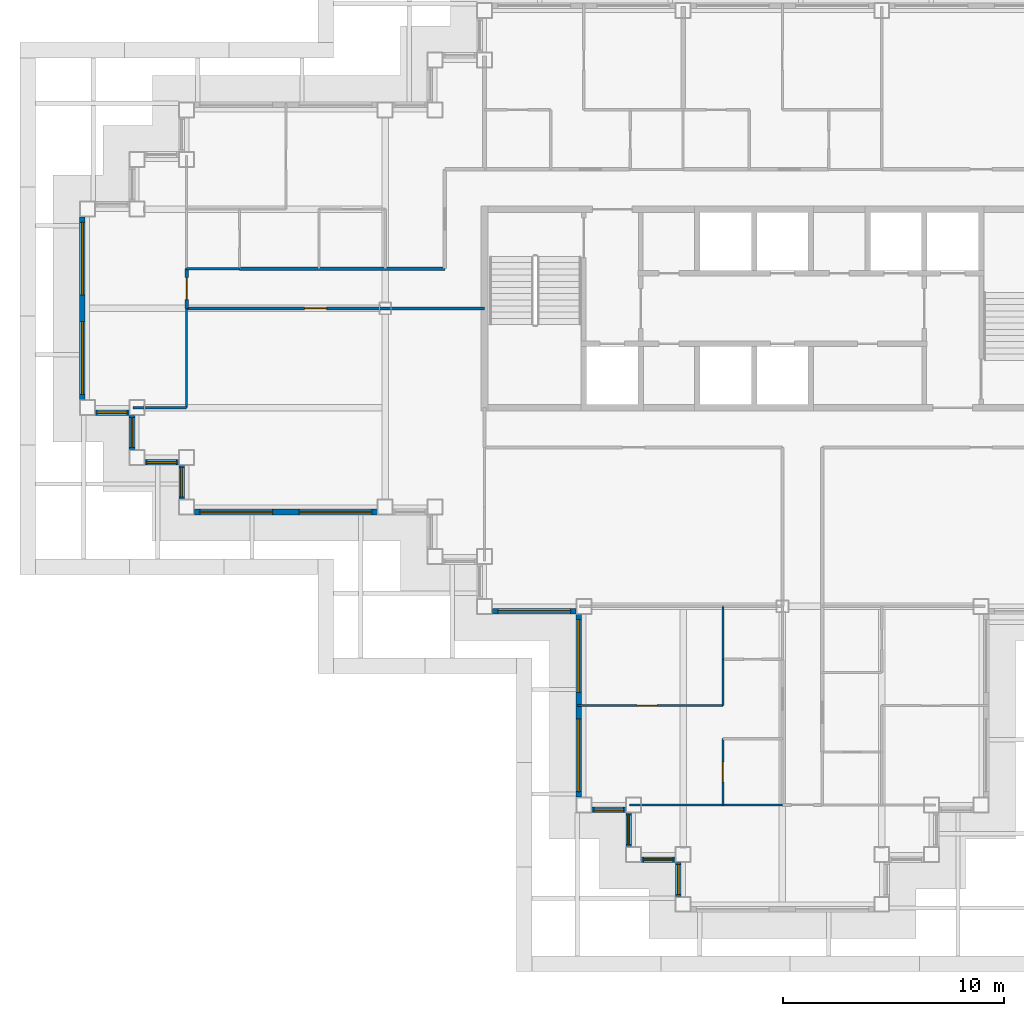
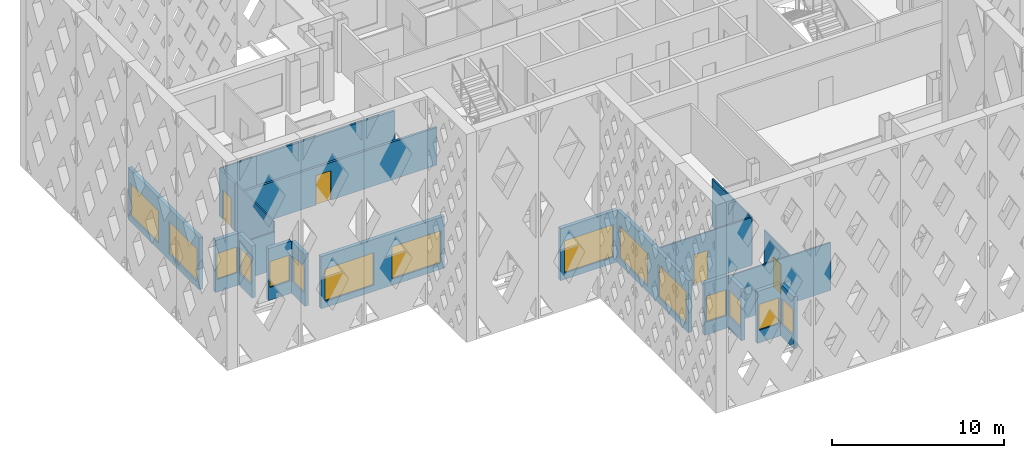
# One storey, part 2 of 16: 23 walls, 15 windows, 4 doors, 19 openings.
"""IFC4 building model written with IfcOpenShell, lengths in metres."""

from ifc_helpers import new_model, si_unit, direction, frame, frame_2d, origin, place, context, subcontext, project, spatial, rectangle, extrude, material, layer, layer_set, type_object, element, fill, save


model = new_model("IFC4")

# Units and contexts
model_context = context("Model", 3, precision=1e-05, world=origin(), true_north=direction((0.0, 1.0)))
body_context = subcontext(model_context, "Body", "Model", "MODEL_VIEW")
ifc_project = project(units=[si_unit("LENGTHUNIT", "METRE"), si_unit("AREAUNIT", "SQUARE_METRE"), si_unit("VOLUMEUNIT", "CUBIC_METRE"), si_unit("PLANEANGLEUNIT", "RADIAN"), si_unit("MASSUNIT", "GRAM", prefix="KILO")], contexts=[model_context])

# Site, building, storey
site_placement = place(None, origin())
site = spatial("IfcSite", under=ifc_project, at=site_placement, CompositionType="ELEMENT")
building_placement = place(site_placement, origin())
building = spatial("IfcBuilding", under=site, at=building_placement, Name="Caravel Reach Hotel and Residences", CompositionType="ELEMENT")
storey_placement = place(building_placement, frame((0.0, 0.0, 207.199951171875)))
storey = spatial("IfcBuildingStorey", under=building, at=storey_placement, Name="L52", CompositionType="ELEMENT", Elevation=207.199951171875)

# Walls
ifc_material_1 = material(Name="Gypsum board on steel stud", Category="steel")
ifc_layer_1 = layer(ifc_material_1, 0.10009765625)
ifc_layer_set_1 = layer_set([ifc_layer_1], Name="Bathroom pod wall 100 mm")
wall_type_1 = type_object("IfcWallType", Name="Bathroom pod wall 100 mm", PredefinedType="PARTITIONING", material=ifc_layer_set_1)
for number, where, z_axis, x_axis, name in (
    (1, (4.5, 28.800048828125, 0.0), (0.0, 0.0, 1.0), (1.0, 0.0, 0.0), "L52 wall w066"),
    (2, (28.800048828125, 11.10009765625, 0.0), (0.0, 0.0, 1.0), (0.0, 1.0, 0.0), "L52 wall w076"),
):
    element("IfcWall", number, at=place(storey_placement, frame(where, z_axis=z_axis, x_axis=x_axis)), inside=storey, type_object=wall_type_1, Name=name, PredefinedType="PARTITIONING", context=body_context, shape_type="SweptSolid", body=[
        extrude(rectangle(XDim=2.39990234375, YDim=0.10009765625, at=frame_2d((1.199951171875, 0.0))), origin(), (0.0, 0.0, 1.0), 3.400146484375),
    ])

# Wall, opening, door
ifc_material_2 = material(Name="Gypsum board on steel stud, fire-rated", Category="steel")
ifc_layer_2 = layer(ifc_material_2, 0.14990234375)
ifc_layer_set_2 = layer_set([ifc_layer_2], Name="Corridor wall 150 mm EI 60")
wall_type_2 = type_object("IfcWallType", Name="Corridor wall 150 mm EI 60", PredefinedType="PARTITIONING", material=ifc_layer_set_2)
wall_1_placement = place(storey_placement, frame((4.5, 27.0, 0.0), z_axis=(0.0, 0.0, 1.0), x_axis=(1.0, 0.0, 0.0)))
wall_1 = element("IfcWall", 3, at=wall_1_placement, inside=storey, type_object=wall_type_2, Name="L52 wall w006", PredefinedType="PARTITIONING", context=body_context, shape_type="SweptSolid", body=[
    extrude(rectangle(XDim=13.5, YDim=0.14990234375, at=frame_2d((6.75, 0.0))), origin(), (0.0, 0.0, 1.0), 2.679931640625),
])
opening_1_placement = place(wall_1_placement, frame((5.35009765625, 0.0, 0.0)))
opening_1 = element("IfcOpeningElement", 4, at=opening_1_placement, cuts=wall_1, Name="Opening D52-029", PredefinedType="OPENING", context=body_context, shape_type="SweptSolid", body=[
    extrude(rectangle(XDim=1.0, YDim=2.10009765625, at=frame_2d((0.5, 1.050048828125))), frame((0.0, 0.0849609375, 0.0), z_axis=(0.0, -1.0, 0.0), x_axis=(1.0, 0.0, 0.0)), (0.0, 0.0, 1.0), 0.169921875),
])
ifc_material_3 = material(Name="Steel fire door leaf", Category="steel")
door_type_1 = type_object("IfcDoorType", Name="Fire door 1000 x 2100 EI 60", OperationType="SINGLE_SWING_LEFT", PredefinedType="DOOR", material=ifc_material_3)
door_1_placement = place(opening_1_placement, origin())
door_1 = element("IfcDoor", 5, at=door_1_placement, inside=storey, type_object=door_type_1, Name="door D52-029", OperationType="SINGLE_SWING_LEFT", OverallHeight=2.10009765625, OverallWidth=1.0, PredefinedType="DOOR", context=body_context, shape_type="SweptSolid", body=[
    extrude(rectangle(XDim=1.0, YDim=2.10009765625, at=frame_2d((0.5, 1.050048828125))), frame((0.0, 0.02490234375, 0.0), z_axis=(0.0, -1.0, 0.0), x_axis=(1.0, 0.0, 0.0)), (0.0, 0.0, 1.0), 0.050048828125),
])
fill(opening_1, door_1)

# Wall
wall_2_placement = place(storey_placement, frame((6.89990234375, 28.800048828125, 0.0), z_axis=(0.0, 0.0, 1.0), x_axis=(1.0, 0.0, 0.0)))
element("IfcWall", 6, at=wall_2_placement, inside=storey, type_object=wall_type_2, Name="L52 wall w007", PredefinedType="PARTITIONING", context=body_context, shape_type="SweptSolid", body=[
    extrude(rectangle(XDim=9.299072265625, YDim=0.14990234375, at=frame_2d((4.6494140625, 0.0))), origin(), (0.0, 0.0, 1.0), 3.400146484375),
])

# Wall, opening, door
wall_3_placement = place(storey_placement, frame((4.5, 27.0, 0.0), z_axis=(0.0, 0.0, 1.0), x_axis=(0.0, 1.0, 0.0)))
wall_3 = element("IfcWall", 7, at=wall_3_placement, inside=storey, type_object=wall_type_2, Name="L52 wall w025", PredefinedType="PARTITIONING", context=body_context, shape_type="SweptSolid", body=[
    extrude(rectangle(XDim=1.800048828125, YDim=0.14990234375, at=frame_2d((0.89990234375, 0.0))), origin(), (0.0, 0.0, 1.0), 3.400146484375),
])
opening_2_placement = place(wall_3_placement, frame((0.39990234375, 0.0, 0.0)))
opening_2 = element("IfcOpeningElement", 8, at=opening_2_placement, cuts=wall_3, Name="Opening D52-040", PredefinedType="OPENING", context=body_context, shape_type="SweptSolid", body=[
    extrude(rectangle(XDim=1.0, YDim=2.10009765625, at=frame_2d((0.5, 1.050048828125))), frame((0.0, 0.0849609375, 0.0), z_axis=(0.0, -1.0, 0.0), x_axis=(1.0, 0.0, 0.0)), (0.0, 0.0, 1.0), 0.169921875),
])
door_2_placement = place(opening_2_placement, origin())
door_2 = element("IfcDoor", 9, at=door_2_placement, inside=storey, type_object=door_type_1, Name="door D52-040", OperationType="SINGLE_SWING_RIGHT", OverallHeight=2.10009765625, OverallWidth=1.0, PredefinedType="DOOR", context=body_context, shape_type="SweptSolid", body=[
    extrude(rectangle(XDim=1.0, YDim=2.10009765625, at=frame_2d((0.5, 1.050048828125))), frame((0.0, 0.02490234375, 0.0), z_axis=(0.0, -1.0, 0.0), x_axis=(1.0, 0.0, 0.0)), (0.0, 0.0, 1.0), 0.050048828125),
])
fill(opening_2, door_2)

# Wall, openings, windows
ifc_material_4 = material(Name="Insulated rainscreen wall, aluminium cladding", Category="aluminium")
ifc_layer_3 = layer(ifc_material_4, 0.25)
ifc_layer_set_3 = layer_set([ifc_layer_3], Name="EW1 Tower rainscreen wall")
wall_type_3 = type_object("IfcWallType", Name="EW1 Tower rainscreen wall", PredefinedType="SOLIDWALL", material=ifc_layer_set_3)
wall_4_placement = place(storey_placement, frame((-0.22509765625, 31.14990234375, 0.0), z_axis=(0.0, 0.0, 1.0), x_axis=(0.0, -1.0, 0.0)))
wall_4 = element("IfcWall", 10, at=wall_4_placement, inside=storey, type_object=wall_type_3, Name="External wall L52 W20.1", PredefinedType="SOLIDWALL", context=body_context, shape_type="SweptSolid", body=[
    extrude(rectangle(XDim=8.2998046875, YDim=0.25, at=frame_2d((4.14990234375, 0.0))), origin(), (0.0, 0.0, 1.0), 3.699951171875),
])
opening_3_placement = place(wall_4_placement, frame((0.25, 0.0, 0.449951171875)))
opening_3 = element("IfcOpeningElement", 11, at=opening_3_placement, cuts=wall_4, Name="Opening WN15", PredefinedType="OPENING", context=body_context, shape_type="SweptSolid", body=[
    extrude(rectangle(XDim=3.300048828125, YDim=2.300048828125, at=frame_2d((1.64990234375, 1.14990234375))), frame((0.0, 0.135009765625, 0.0), z_axis=(0.0, -1.0, 0.0), x_axis=(1.0, 0.0, 0.0)), (0.0, 0.0, 1.0), 0.27001953125),
])
opening_4_placement = place(wall_4_placement, frame((4.75, 0.0, 0.449951171875)))
opening_4 = element("IfcOpeningElement", 12, at=opening_4_placement, cuts=wall_4, Name="Opening WN15", PredefinedType="OPENING", context=body_context, shape_type="SweptSolid", body=[
    extrude(rectangle(XDim=3.300048828125, YDim=2.300048828125, at=frame_2d((1.64990234375, 1.14990234375))), frame((0.0, 0.135009765625, 0.0), z_axis=(0.0, -1.0, 0.0), x_axis=(1.0, 0.0, 0.0)), (0.0, 0.0, 1.0), 0.27001953125),
])
ifc_material_5 = material(Name="Dark low-e glazing in black aluminium frame", Category="aluminium")
window_type_1 = type_object("IfcWindowType", Name="Residence living window 3300 x 2300", PartitioningType="SINGLE_PANEL", PredefinedType="WINDOW", material=ifc_material_5)
window_1_placement = place(opening_3_placement, origin())
window_1 = element("IfcWindow", 13, at=window_1_placement, inside=storey, type_object=window_type_1, Name="Window L52 W20.1.1", OverallHeight=2.300048828125, OverallWidth=3.300048828125, PartitioningType="SINGLE_PANEL", PredefinedType="WINDOW", context=body_context, shape_type="SweptSolid", body=[
    extrude(rectangle(XDim=3.300048828125, YDim=2.300048828125, at=frame_2d((1.64990234375, 1.14990234375))), frame((0.0, 0.030029296875, 0.0), z_axis=(0.0, -1.0, 0.0), x_axis=(1.0, 0.0, 0.0)), (0.0, 0.0, 1.0), 0.06005859375),
])
fill(opening_3, window_1)
window_2_placement = place(opening_4_placement, origin())
window_2 = element("IfcWindow", 14, at=window_2_placement, inside=storey, type_object=window_type_1, Name="Window L52 W20.1.2", OverallHeight=2.300048828125, OverallWidth=3.300048828125, PartitioningType="SINGLE_PANEL", PredefinedType="WINDOW", context=body_context, shape_type="SweptSolid", body=[
    extrude(rectangle(XDim=3.300048828125, YDim=2.300048828125, at=frame_2d((1.64990234375, 1.14990234375))), frame((0.0, 0.030029296875, 0.0), z_axis=(0.0, -1.0, 0.0), x_axis=(1.0, 0.0, 0.0)), (0.0, 0.0, 1.0), 0.06005859375),
])
fill(opening_4, window_2)

# Wall, opening, window
wall_5_placement = place(storey_placement, frame((0.35009765625, 22.27490234375, 0.0), z_axis=(0.0, 0.0, 1.0), x_axis=(1.0, 0.0, 0.0)))
wall_5 = element("IfcWall", 15, at=wall_5_placement, inside=storey, type_object=wall_type_3, Name="External wall L52 S21.1", PredefinedType="SOLIDWALL", context=body_context, shape_type="SweptSolid", body=[
    extrude(rectangle(XDim=1.5498046875, YDim=0.25, at=frame_2d((0.77490234375, 0.0))), origin(), (0.0, 0.0, 1.0), 3.699951171875),
])
opening_5_placement = place(wall_5_placement, frame((0.10009765625, 0.0, 0.89990234375)))
opening_5 = element("IfcOpeningElement", 16, at=opening_5_placement, cuts=wall_5, Name="Opening WN21", PredefinedType="OPENING", context=body_context, shape_type="SweptSolid", body=[
    extrude(rectangle(XDim=1.35009765625, YDim=1.85009765625, at=frame_2d((0.675048828125, 0.925048828125))), frame((0.0, 0.135009765625, 0.0), z_axis=(0.0, -1.0, 0.0), x_axis=(1.0, 0.0, 0.0)), (0.0, 0.0, 1.0), 0.27001953125),
])
ifc_material_6 = material(Name="Dark low-e glazing in black aluminium frame", Category="aluminium")
window_type_2 = type_object("IfcWindowType", Name="Residence bedroom window 1350 x 1850", PartitioningType="SINGLE_PANEL", PredefinedType="WINDOW", material=ifc_material_6)
window_3_placement = place(opening_5_placement, origin())
window_3 = element("IfcWindow", 17, at=window_3_placement, inside=storey, type_object=window_type_2, Name="Window L52 S21.1.1", OverallHeight=1.85009765625, OverallWidth=1.35009765625, PartitioningType="SINGLE_PANEL", PredefinedType="WINDOW", context=body_context, shape_type="SweptSolid", body=[
    extrude(rectangle(XDim=1.35009765625, YDim=1.85009765625, at=frame_2d((0.675048828125, 0.925048828125))), frame((0.0, 0.030029296875, 0.0), z_axis=(0.0, -1.0, 0.0), x_axis=(1.0, 0.0, 0.0)), (0.0, 0.0, 1.0), 0.06005859375),
])
fill(opening_5, window_3)

wall_6_placement = place(storey_placement, frame((2.02490234375, 22.14990234375, 0.0), z_axis=(0.0, 0.0, 1.0), x_axis=(0.0, -1.0, 0.0)))
wall_6 = element("IfcWall", 18, at=wall_6_placement, inside=storey, type_object=wall_type_3, Name="External wall L52 W22.1", PredefinedType="SOLIDWALL", context=body_context, shape_type="SweptSolid", body=[
    extrude(rectangle(XDim=1.5498046875, YDim=0.25, at=frame_2d((0.77490234375, 0.0))), origin(), (0.0, 0.0, 1.0), 3.699951171875),
])
opening_6_placement = place(wall_6_placement, frame((0.10009765625, 0.0, 0.89990234375)))
opening_6 = element("IfcOpeningElement", 19, at=opening_6_placement, cuts=wall_6, Name="Opening WN21", PredefinedType="OPENING", context=body_context, shape_type="SweptSolid", body=[
    extrude(rectangle(XDim=1.35009765625, YDim=1.85009765625, at=frame_2d((0.675048828125, 0.925048828125))), frame((0.0, 0.135009765625, 0.0), z_axis=(0.0, -1.0, 0.0), x_axis=(1.0, 0.0, 0.0)), (0.0, 0.0, 1.0), 0.27001953125),
])
window_4_placement = place(opening_6_placement, origin())
window_4 = element("IfcWindow", 20, at=window_4_placement, inside=storey, type_object=window_type_2, Name="Window L52 W22.1.1", OverallHeight=1.85009765625, OverallWidth=1.35009765625, PartitioningType="SINGLE_PANEL", PredefinedType="WINDOW", context=body_context, shape_type="SweptSolid", body=[
    extrude(rectangle(XDim=1.35009765625, YDim=1.85009765625, at=frame_2d((0.675048828125, 0.925048828125))), frame((0.0, 0.030029296875, 0.0), z_axis=(0.0, -1.0, 0.0), x_axis=(1.0, 0.0, 0.0)), (0.0, 0.0, 1.0), 0.06005859375),
])
fill(opening_6, window_4)

wall_7_placement = place(storey_placement, frame((2.60009765625, 20.02490234375, 0.0), z_axis=(0.0, 0.0, 1.0), x_axis=(1.0, 0.0, 0.0)))
wall_7 = element("IfcWall", 21, at=wall_7_placement, inside=storey, type_object=wall_type_3, Name="External wall L52 S23.1", PredefinedType="SOLIDWALL", context=body_context, shape_type="SweptSolid", body=[
    extrude(rectangle(XDim=1.5498046875, YDim=0.25, at=frame_2d((0.77490234375, 0.0))), origin(), (0.0, 0.0, 1.0), 3.699951171875),
])
opening_7_placement = place(wall_7_placement, frame((0.10009765625, 0.0, 0.89990234375)))
opening_7 = element("IfcOpeningElement", 22, at=opening_7_placement, cuts=wall_7, Name="Opening WN21", PredefinedType="OPENING", context=body_context, shape_type="SweptSolid", body=[
    extrude(rectangle(XDim=1.35009765625, YDim=1.85009765625, at=frame_2d((0.675048828125, 0.925048828125))), frame((0.0, 0.135009765625, 0.0), z_axis=(0.0, -1.0, 0.0), x_axis=(1.0, 0.0, 0.0)), (0.0, 0.0, 1.0), 0.27001953125),
])
window_5_placement = place(opening_7_placement, origin())
window_5 = element("IfcWindow", 23, at=window_5_placement, inside=storey, type_object=window_type_2, Name="Window L52 S23.1.1", OverallHeight=1.85009765625, OverallWidth=1.35009765625, PartitioningType="SINGLE_PANEL", PredefinedType="WINDOW", context=body_context, shape_type="SweptSolid", body=[
    extrude(rectangle(XDim=1.35009765625, YDim=1.85009765625, at=frame_2d((0.675048828125, 0.925048828125))), frame((0.0, 0.030029296875, 0.0), z_axis=(0.0, -1.0, 0.0), x_axis=(1.0, 0.0, 0.0)), (0.0, 0.0, 1.0), 0.06005859375),
])
fill(opening_7, window_5)

wall_8_placement = place(storey_placement, frame((4.27490234375, 19.89990234375, 0.0), z_axis=(0.0, 0.0, 1.0), x_axis=(0.0, -1.0, 0.0)))
wall_8 = element("IfcWall", 24, at=wall_8_placement, inside=storey, type_object=wall_type_3, Name="External wall L52 W24.1", PredefinedType="SOLIDWALL", context=body_context, shape_type="SweptSolid", body=[
    extrude(rectangle(XDim=1.5498046875, YDim=0.25, at=frame_2d((0.77490234375, 0.0))), origin(), (0.0, 0.0, 1.0), 3.699951171875),
])
opening_8_placement = place(wall_8_placement, frame((0.10009765625, 0.0, 0.89990234375)))
opening_8 = element("IfcOpeningElement", 25, at=opening_8_placement, cuts=wall_8, Name="Opening WN21", PredefinedType="OPENING", context=body_context, shape_type="SweptSolid", body=[
    extrude(rectangle(XDim=1.35009765625, YDim=1.85009765625, at=frame_2d((0.675048828125, 0.925048828125))), frame((0.0, 0.135009765625, 0.0), z_axis=(0.0, -1.0, 0.0), x_axis=(1.0, 0.0, 0.0)), (0.0, 0.0, 1.0), 0.27001953125),
])
window_6_placement = place(opening_8_placement, origin())
window_6 = element("IfcWindow", 26, at=window_6_placement, inside=storey, type_object=window_type_2, Name="Window L52 W24.1.1", OverallHeight=1.85009765625, OverallWidth=1.35009765625, PartitioningType="SINGLE_PANEL", PredefinedType="WINDOW", context=body_context, shape_type="SweptSolid", body=[
    extrude(rectangle(XDim=1.35009765625, YDim=1.85009765625, at=frame_2d((0.675048828125, 0.925048828125))), frame((0.0, 0.030029296875, 0.0), z_axis=(0.0, -1.0, 0.0), x_axis=(1.0, 0.0, 0.0)), (0.0, 0.0, 1.0), 0.06005859375),
])
fill(opening_8, window_6)

# Wall, openings, windows
wall_9_placement = place(storey_placement, frame((4.85009765625, 17.77490234375, 0.0), z_axis=(0.0, 0.0, 1.0), x_axis=(1.0, 0.0, 0.0)))
wall_9 = element("IfcWall", 27, at=wall_9_placement, inside=storey, type_object=wall_type_3, Name="External wall L52 S25.1", PredefinedType="SOLIDWALL", context=body_context, shape_type="SweptSolid", body=[
    extrude(rectangle(XDim=8.2998046875, YDim=0.25, at=frame_2d((4.14990234375, 0.0))), origin(), (0.0, 0.0, 1.0), 3.699951171875),
])
opening_9_placement = place(wall_9_placement, frame((0.25, 0.0, 0.449951171875)))
opening_9 = element("IfcOpeningElement", 28, at=opening_9_placement, cuts=wall_9, Name="Opening WN15", PredefinedType="OPENING", context=body_context, shape_type="SweptSolid", body=[
    extrude(rectangle(XDim=3.300048828125, YDim=2.300048828125, at=frame_2d((1.64990234375, 1.14990234375))), frame((0.0, 0.135009765625, 0.0), z_axis=(0.0, -1.0, 0.0), x_axis=(1.0, 0.0, 0.0)), (0.0, 0.0, 1.0), 0.27001953125),
])
opening_10_placement = place(wall_9_placement, frame((4.75, 0.0, 0.449951171875)))
opening_10 = element("IfcOpeningElement", 29, at=opening_10_placement, cuts=wall_9, Name="Opening WN15", PredefinedType="OPENING", context=body_context, shape_type="SweptSolid", body=[
    extrude(rectangle(XDim=3.300048828125, YDim=2.300048828125, at=frame_2d((1.64990234375, 1.14990234375))), frame((0.0, 0.135009765625, 0.0), z_axis=(0.0, -1.0, 0.0), x_axis=(1.0, 0.0, 0.0)), (0.0, 0.0, 1.0), 0.27001953125),
])
window_7_placement = place(opening_9_placement, origin())
window_7 = element("IfcWindow", 30, at=window_7_placement, inside=storey, type_object=window_type_1, Name="Window L52 S25.1.1", OverallHeight=2.300048828125, OverallWidth=3.300048828125, PartitioningType="SINGLE_PANEL", PredefinedType="WINDOW", context=body_context, shape_type="SweptSolid", body=[
    extrude(rectangle(XDim=3.300048828125, YDim=2.300048828125, at=frame_2d((1.64990234375, 1.14990234375))), frame((0.0, 0.030029296875, 0.0), z_axis=(0.0, -1.0, 0.0), x_axis=(1.0, 0.0, 0.0)), (0.0, 0.0, 1.0), 0.06005859375),
])
fill(opening_9, window_7)
window_8_placement = place(opening_10_placement, origin())
window_8 = element("IfcWindow", 31, at=window_8_placement, inside=storey, type_object=window_type_1, Name="Window L52 S25.1.2", OverallHeight=2.300048828125, OverallWidth=3.300048828125, PartitioningType="SINGLE_PANEL", PredefinedType="WINDOW", context=body_context, shape_type="SweptSolid", body=[
    extrude(rectangle(XDim=3.300048828125, YDim=2.300048828125, at=frame_2d((1.64990234375, 1.14990234375))), frame((0.0, 0.030029296875, 0.0), z_axis=(0.0, -1.0, 0.0), x_axis=(1.0, 0.0, 0.0)), (0.0, 0.0, 1.0), 0.06005859375),
])
fill(opening_10, window_8)

# Wall, opening, window
wall_10_placement = place(storey_placement, frame((18.35009765625, 13.27490234375, 0.0), z_axis=(0.0, 0.0, 1.0), x_axis=(1.0, 0.0, 0.0)))
wall_10 = element("IfcWall", 32, at=wall_10_placement, inside=storey, type_object=wall_type_3, Name="External wall L52 S29.1", PredefinedType="SOLIDWALL", context=body_context, shape_type="SweptSolid", body=[
    extrude(rectangle(XDim=3.7998046875, YDim=0.25, at=frame_2d((1.89990234375, 0.0))), origin(), (0.0, 0.0, 1.0), 3.699951171875),
])
opening_11_placement = place(wall_10_placement, frame((0.25, 0.0, 0.449951171875)))
opening_11 = element("IfcOpeningElement", 33, at=opening_11_placement, cuts=wall_10, Name="Opening WN15", PredefinedType="OPENING", context=body_context, shape_type="SweptSolid", body=[
    extrude(rectangle(XDim=3.300048828125, YDim=2.300048828125, at=frame_2d((1.64990234375, 1.14990234375))), frame((0.0, 0.135009765625, 0.0), z_axis=(0.0, -1.0, 0.0), x_axis=(1.0, 0.0, 0.0)), (0.0, 0.0, 1.0), 0.27001953125),
])
window_9_placement = place(opening_11_placement, origin())
window_9 = element("IfcWindow", 34, at=window_9_placement, inside=storey, type_object=window_type_1, Name="Window L52 S29.1.1", OverallHeight=2.300048828125, OverallWidth=3.300048828125, PartitioningType="SINGLE_PANEL", PredefinedType="WINDOW", context=body_context, shape_type="SweptSolid", body=[
    extrude(rectangle(XDim=3.300048828125, YDim=2.300048828125, at=frame_2d((1.64990234375, 1.14990234375))), frame((0.0, 0.030029296875, 0.0), z_axis=(0.0, -1.0, 0.0), x_axis=(1.0, 0.0, 0.0)), (0.0, 0.0, 1.0), 0.06005859375),
])
fill(opening_11, window_9)

# Wall, openings, windows
wall_11_placement = place(storey_placement, frame((22.27490234375, 13.14990234375, 0.0), z_axis=(0.0, 0.0, 1.0), x_axis=(0.0, -1.0, 0.0)))
wall_11 = element("IfcWall", 35, at=wall_11_placement, inside=storey, type_object=wall_type_3, Name="External wall L52 W30.1", PredefinedType="SOLIDWALL", context=body_context, shape_type="SweptSolid", body=[
    extrude(rectangle(XDim=8.2998046875, YDim=0.25, at=frame_2d((4.14990234375, 0.0))), origin(), (0.0, 0.0, 1.0), 3.699951171875),
])
opening_12_placement = place(wall_11_placement, frame((0.25, 0.0, 0.449951171875)))
opening_12 = element("IfcOpeningElement", 36, at=opening_12_placement, cuts=wall_11, Name="Opening WN15", PredefinedType="OPENING", context=body_context, shape_type="SweptSolid", body=[
    extrude(rectangle(XDim=3.300048828125, YDim=2.300048828125, at=frame_2d((1.64990234375, 1.14990234375))), frame((0.0, 0.135009765625, 0.0), z_axis=(0.0, -1.0, 0.0), x_axis=(1.0, 0.0, 0.0)), (0.0, 0.0, 1.0), 0.27001953125),
])
opening_13_placement = place(wall_11_placement, frame((4.75, 0.0, 0.449951171875)))
opening_13 = element("IfcOpeningElement", 37, at=opening_13_placement, cuts=wall_11, Name="Opening WN15", PredefinedType="OPENING", context=body_context, shape_type="SweptSolid", body=[
    extrude(rectangle(XDim=3.300048828125, YDim=2.300048828125, at=frame_2d((1.64990234375, 1.14990234375))), frame((0.0, 0.135009765625, 0.0), z_axis=(0.0, -1.0, 0.0), x_axis=(1.0, 0.0, 0.0)), (0.0, 0.0, 1.0), 0.27001953125),
])
window_10_placement = place(opening_12_placement, origin())
window_10 = element("IfcWindow", 38, at=window_10_placement, inside=storey, type_object=window_type_1, Name="Window L52 W30.1.1", OverallHeight=2.300048828125, OverallWidth=3.300048828125, PartitioningType="SINGLE_PANEL", PredefinedType="WINDOW", context=body_context, shape_type="SweptSolid", body=[
    extrude(rectangle(XDim=3.300048828125, YDim=2.300048828125, at=frame_2d((1.64990234375, 1.14990234375))), frame((0.0, 0.030029296875, 0.0), z_axis=(0.0, -1.0, 0.0), x_axis=(1.0, 0.0, 0.0)), (0.0, 0.0, 1.0), 0.06005859375),
])
fill(opening_12, window_10)
window_11_placement = place(opening_13_placement, origin())
window_11 = element("IfcWindow", 39, at=window_11_placement, inside=storey, type_object=window_type_1, Name="Window L52 W30.1.2", OverallHeight=2.300048828125, OverallWidth=3.300048828125, PartitioningType="SINGLE_PANEL", PredefinedType="WINDOW", context=body_context, shape_type="SweptSolid", body=[
    extrude(rectangle(XDim=3.300048828125, YDim=2.300048828125, at=frame_2d((1.64990234375, 1.14990234375))), frame((0.0, 0.030029296875, 0.0), z_axis=(0.0, -1.0, 0.0), x_axis=(1.0, 0.0, 0.0)), (0.0, 0.0, 1.0), 0.06005859375),
])
fill(opening_13, window_11)

# Wall, opening, window
wall_12_placement = place(storey_placement, frame((22.85009765625, 4.27490234375, 0.0), z_axis=(0.0, 0.0, 1.0), x_axis=(1.0, 0.0, 0.0)))
wall_12 = element("IfcWall", 40, at=wall_12_placement, inside=storey, type_object=wall_type_3, Name="External wall L52 S31.1", PredefinedType="SOLIDWALL", context=body_context, shape_type="SweptSolid", body=[
    extrude(rectangle(XDim=1.5498046875, YDim=0.25, at=frame_2d((0.77490234375, 0.0))), origin(), (0.0, 0.0, 1.0), 3.699951171875),
])
opening_14_placement = place(wall_12_placement, frame((0.10009765625, 0.0, 0.89990234375)))
opening_14 = element("IfcOpeningElement", 41, at=opening_14_placement, cuts=wall_12, Name="Opening WN21", PredefinedType="OPENING", context=body_context, shape_type="SweptSolid", body=[
    extrude(rectangle(XDim=1.35009765625, YDim=1.85009765625, at=frame_2d((0.675048828125, 0.925048828125))), frame((0.0, 0.135009765625, 0.0), z_axis=(0.0, -1.0, 0.0), x_axis=(1.0, 0.0, 0.0)), (0.0, 0.0, 1.0), 0.27001953125),
])
window_12_placement = place(opening_14_placement, origin())
window_12 = element("IfcWindow", 42, at=window_12_placement, inside=storey, type_object=window_type_2, Name="Window L52 S31.1.1", OverallHeight=1.85009765625, OverallWidth=1.35009765625, PartitioningType="SINGLE_PANEL", PredefinedType="WINDOW", context=body_context, shape_type="SweptSolid", body=[
    extrude(rectangle(XDim=1.35009765625, YDim=1.85009765625, at=frame_2d((0.675048828125, 0.925048828125))), frame((0.0, 0.030029296875, 0.0), z_axis=(0.0, -1.0, 0.0), x_axis=(1.0, 0.0, 0.0)), (0.0, 0.0, 1.0), 0.06005859375),
])
fill(opening_14, window_12)

wall_13_placement = place(storey_placement, frame((24.52490234375, 4.14990234375, 0.0), z_axis=(0.0, 0.0, 1.0), x_axis=(0.0, -1.0, 0.0)))
wall_13 = element("IfcWall", 43, at=wall_13_placement, inside=storey, type_object=wall_type_3, Name="External wall L52 W32.1", PredefinedType="SOLIDWALL", context=body_context, shape_type="SweptSolid", body=[
    extrude(rectangle(XDim=1.5498046875, YDim=0.25, at=frame_2d((0.77490234375, 0.0))), origin(), (0.0, 0.0, 1.0), 3.699951171875),
])
opening_15_placement = place(wall_13_placement, frame((0.10009765625, 0.0, 0.89990234375)))
opening_15 = element("IfcOpeningElement", 44, at=opening_15_placement, cuts=wall_13, Name="Opening WN21", PredefinedType="OPENING", context=body_context, shape_type="SweptSolid", body=[
    extrude(rectangle(XDim=1.35009765625, YDim=1.85009765625, at=frame_2d((0.675048828125, 0.925048828125))), frame((0.0, 0.135009765625, 0.0), z_axis=(0.0, -1.0, 0.0), x_axis=(1.0, 0.0, 0.0)), (0.0, 0.0, 1.0), 0.27001953125),
])
window_13_placement = place(opening_15_placement, origin())
window_13 = element("IfcWindow", 45, at=window_13_placement, inside=storey, type_object=window_type_2, Name="Window L52 W32.1.1", OverallHeight=1.85009765625, OverallWidth=1.35009765625, PartitioningType="SINGLE_PANEL", PredefinedType="WINDOW", context=body_context, shape_type="SweptSolid", body=[
    extrude(rectangle(XDim=1.35009765625, YDim=1.85009765625, at=frame_2d((0.675048828125, 0.925048828125))), frame((0.0, 0.030029296875, 0.0), z_axis=(0.0, -1.0, 0.0), x_axis=(1.0, 0.0, 0.0)), (0.0, 0.0, 1.0), 0.06005859375),
])
fill(opening_15, window_13)

wall_14_placement = place(storey_placement, frame((25.10009765625, 2.02490234375, 0.0), z_axis=(0.0, 0.0, 1.0), x_axis=(1.0, 0.0, 0.0)))
wall_14 = element("IfcWall", 46, at=wall_14_placement, inside=storey, type_object=wall_type_3, Name="External wall L52 S33.1", PredefinedType="SOLIDWALL", context=body_context, shape_type="SweptSolid", body=[
    extrude(rectangle(XDim=1.5498046875, YDim=0.25, at=frame_2d((0.77490234375, 0.0))), origin(), (0.0, 0.0, 1.0), 3.699951171875),
])
opening_16_placement = place(wall_14_placement, frame((0.10009765625, 0.0, 0.89990234375)))
opening_16 = element("IfcOpeningElement", 47, at=opening_16_placement, cuts=wall_14, Name="Opening WN21", PredefinedType="OPENING", context=body_context, shape_type="SweptSolid", body=[
    extrude(rectangle(XDim=1.35009765625, YDim=1.85009765625, at=frame_2d((0.675048828125, 0.925048828125))), frame((0.0, 0.135009765625, 0.0), z_axis=(0.0, -1.0, 0.0), x_axis=(1.0, 0.0, 0.0)), (0.0, 0.0, 1.0), 0.27001953125),
])
window_14_placement = place(opening_16_placement, origin())
window_14 = element("IfcWindow", 48, at=window_14_placement, inside=storey, type_object=window_type_2, Name="Window L52 S33.1.1", OverallHeight=1.85009765625, OverallWidth=1.35009765625, PartitioningType="SINGLE_PANEL", PredefinedType="WINDOW", context=body_context, shape_type="SweptSolid", body=[
    extrude(rectangle(XDim=1.35009765625, YDim=1.85009765625, at=frame_2d((0.675048828125, 0.925048828125))), frame((0.0, 0.030029296875, 0.0), z_axis=(0.0, -1.0, 0.0), x_axis=(1.0, 0.0, 0.0)), (0.0, 0.0, 1.0), 0.06005859375),
])
fill(opening_16, window_14)

wall_15_placement = place(storey_placement, frame((26.77490234375, 1.89990234375, 0.0), z_axis=(0.0, 0.0, 1.0), x_axis=(0.0, -1.0, 0.0)))
wall_15 = element("IfcWall", 49, at=wall_15_placement, inside=storey, type_object=wall_type_3, Name="External wall L52 W34.1", PredefinedType="SOLIDWALL", context=body_context, shape_type="SweptSolid", body=[
    extrude(rectangle(XDim=1.5498046875, YDim=0.25, at=frame_2d((0.77490234375, 0.0))), origin(), (0.0, 0.0, 1.0), 3.699951171875),
])
opening_17_placement = place(wall_15_placement, frame((0.10009765625, 0.0, 0.89990234375)))
opening_17 = element("IfcOpeningElement", 50, at=opening_17_placement, cuts=wall_15, Name="Opening WN21", PredefinedType="OPENING", context=body_context, shape_type="SweptSolid", body=[
    extrude(rectangle(XDim=1.35009765625, YDim=1.85009765625, at=frame_2d((0.675048828125, 0.925048828125))), frame((0.0, 0.135009765625, 0.0), z_axis=(0.0, -1.0, 0.0), x_axis=(1.0, 0.0, 0.0)), (0.0, 0.0, 1.0), 0.27001953125),
])
window_15_placement = place(opening_17_placement, origin())
window_15 = element("IfcWindow", 51, at=window_15_placement, inside=storey, type_object=window_type_2, Name="Window L52 W34.1.1", OverallHeight=1.85009765625, OverallWidth=1.35009765625, PartitioningType="SINGLE_PANEL", PredefinedType="WINDOW", context=body_context, shape_type="SweptSolid", body=[
    extrude(rectangle(XDim=1.35009765625, YDim=1.85009765625, at=frame_2d((0.675048828125, 0.925048828125))), frame((0.0, 0.030029296875, 0.0), z_axis=(0.0, -1.0, 0.0), x_axis=(1.0, 0.0, 0.0)), (0.0, 0.0, 1.0), 0.06005859375),
])
fill(opening_17, window_15)

# Walls
ifc_material_7 = material(Name="Gypsum board on steel stud", Category="steel")
ifc_layer_4 = layer(ifc_material_7, 0.10009765625)
ifc_layer_set_4 = layer_set([ifc_layer_4], Name="Partition 100 mm")
wall_type_4 = type_object("IfcWallType", Name="Partition 100 mm", PredefinedType="PARTITIONING", material=ifc_layer_set_4)
wall_16_placement = place(storey_placement, frame((2.06005859375, 22.5, 0.0), z_axis=(0.0, 0.0, 1.0), x_axis=(1.0, 0.0, 0.0)))
element("IfcWall", 52, at=wall_16_placement, inside=storey, type_object=wall_type_4, Name="L52 wall w031", PredefinedType="PARTITIONING", context=body_context, shape_type="SweptSolid", body=[
    extrude(rectangle(XDim=2.43896484375, YDim=0.10009765625, at=frame_2d((1.219482421875, 0.0))), origin(), (0.0, 0.0, 1.0), 2.679931640625),
])
wall_17_placement = place(storey_placement, frame((24.56005859375, 4.5, 0.0), z_axis=(0.0, 0.0, 1.0), x_axis=(1.0, 0.0, 0.0)))
element("IfcWall", 53, at=wall_17_placement, inside=storey, type_object=wall_type_4, Name="L52 wall w039", PredefinedType="PARTITIONING", context=body_context, shape_type="SweptSolid", body=[
    extrude(rectangle(XDim=6.93994140625, YDim=0.10009765625, at=frame_2d((3.469970703125, 0.0))), origin(), (0.0, 0.0, 1.0), 3.400146484375),
])

# Wall, opening, door
wall_18_placement = place(storey_placement, frame((22.2099609375, 9.0, 0.0), z_axis=(0.0, 0.0, 1.0), x_axis=(1.0, 0.0, 0.0)))
wall_18 = element("IfcWall", 54, at=wall_18_placement, inside=storey, type_object=wall_type_4, Name="L52 wall w043", PredefinedType="PARTITIONING", context=body_context, shape_type="SweptSolid", body=[
    extrude(rectangle(XDim=6.590087890625, YDim=0.10009765625, at=frame_2d((3.294921875, 0.0))), origin(), (0.0, 0.0, 1.0), 3.400146484375),
])
opening_18_placement = place(wall_18_placement, frame((2.699951171875, 0.0, 0.0)))
opening_18 = element("IfcOpeningElement", 55, at=opening_18_placement, cuts=wall_18, Name="Opening D52-035", PredefinedType="OPENING", context=body_context, shape_type="SweptSolid", body=[
    extrude(rectangle(XDim=0.89990234375, YDim=2.10009765625, at=frame_2d((0.449951171875, 1.050048828125))), frame((0.0, 0.06005859375, 0.0), z_axis=(0.0, -1.0, 0.0), x_axis=(1.0, 0.0, 0.0)), (0.0, 0.0, 1.0), 0.1201171875),
])
ifc_material_8 = material(Name="Timber and steel door leaf", Category="steel")
door_type_2 = type_object("IfcDoorType", Name="Door 900 x 2100 timber", OperationType="SINGLE_SWING_LEFT", PredefinedType="DOOR", material=ifc_material_8)
door_3_placement = place(opening_18_placement, origin())
door_3 = element("IfcDoor", 56, at=door_3_placement, inside=storey, type_object=door_type_2, Name="door D52-035", OperationType="SINGLE_SWING_RIGHT", OverallHeight=2.10009765625, OverallWidth=0.89990234375, PredefinedType="DOOR", context=body_context, shape_type="SweptSolid", body=[
    extrude(rectangle(XDim=0.89990234375, YDim=2.10009765625, at=frame_2d((0.449951171875, 1.050048828125))), frame((0.0, 0.02490234375, 0.0), z_axis=(0.0, -1.0, 0.0), x_axis=(1.0, 0.0, 0.0)), (0.0, 0.0, 1.0), 0.050048828125),
])
fill(opening_18, door_3)

# Wall
wall_19_placement = place(storey_placement, frame((28.800048828125, 9.0, 0.0), z_axis=(0.0, 0.0, 1.0), x_axis=(0.0, 1.0, 0.0)))
element("IfcWall", 57, at=wall_19_placement, inside=storey, type_object=wall_type_4, Name="L52 wall w050", PredefinedType="PARTITIONING", context=body_context, shape_type="SweptSolid", body=[
    extrude(rectangle(XDim=2.10009765625, YDim=0.10009765625, at=frame_2d((1.050048828125, 0.0))), origin(), (0.0, 0.0, 1.0), 3.400146484375),
])

# Wall, opening, door
wall_20_placement = place(storey_placement, frame((28.800048828125, 4.5, 0.0), z_axis=(0.0, 0.0, 1.0), x_axis=(0.0, 1.0, 0.0)))
wall_20 = element("IfcWall", 58, at=wall_20_placement, inside=storey, type_object=wall_type_4, Name="L52 wall w051", PredefinedType="PARTITIONING", context=body_context, shape_type="SweptSolid", body=[
    extrude(rectangle(XDim=3.0, YDim=0.10009765625, at=frame_2d((1.5, 0.0))), origin(), (0.0, 0.0, 1.0), 3.400146484375),
])
opening_19_placement = place(wall_20_placement, frame((1.050048828125, 0.0, 0.0)))
opening_19 = element("IfcOpeningElement", 59, at=opening_19_placement, cuts=wall_20, Name="Opening D52-033", PredefinedType="OPENING", context=body_context, shape_type="SweptSolid", body=[
    extrude(rectangle(XDim=0.89990234375, YDim=2.10009765625, at=frame_2d((0.449951171875, 1.050048828125))), frame((0.0, 0.06005859375, 0.0), z_axis=(0.0, -1.0, 0.0), x_axis=(1.0, 0.0, 0.0)), (0.0, 0.0, 1.0), 0.1201171875),
])
door_4_placement = place(opening_19_placement, origin())
door_4 = element("IfcDoor", 60, at=door_4_placement, inside=storey, type_object=door_type_2, Name="door D52-033", OperationType="SINGLE_SWING_LEFT", OverallHeight=2.10009765625, OverallWidth=0.89990234375, PredefinedType="DOOR", context=body_context, shape_type="SweptSolid", body=[
    extrude(rectangle(XDim=0.89990234375, YDim=2.10009765625, at=frame_2d((0.449951171875, 1.050048828125))), frame((0.0, 0.02490234375, 0.0), z_axis=(0.0, -1.0, 0.0), x_axis=(1.0, 0.0, 0.0)), (0.0, 0.0, 1.0), 0.050048828125),
])
fill(opening_19, door_4)

# Wall
wall_21_placement = place(storey_placement, frame((4.5, 22.5, 0.0), z_axis=(0.0, 0.0, 1.0), x_axis=(0.0, 1.0, 0.0)))
element("IfcWall", 61, at=wall_21_placement, inside=storey, type_object=wall_type_4, Name="L52 wall w058", PredefinedType="PARTITIONING", context=body_context, shape_type="SweptSolid", body=[
    extrude(rectangle(XDim=4.5, YDim=0.10009765625, at=frame_2d((2.25, 0.0))), origin(), (0.0, 0.0, 1.0), 3.400146484375),
])

save(model, "model.ifc")
